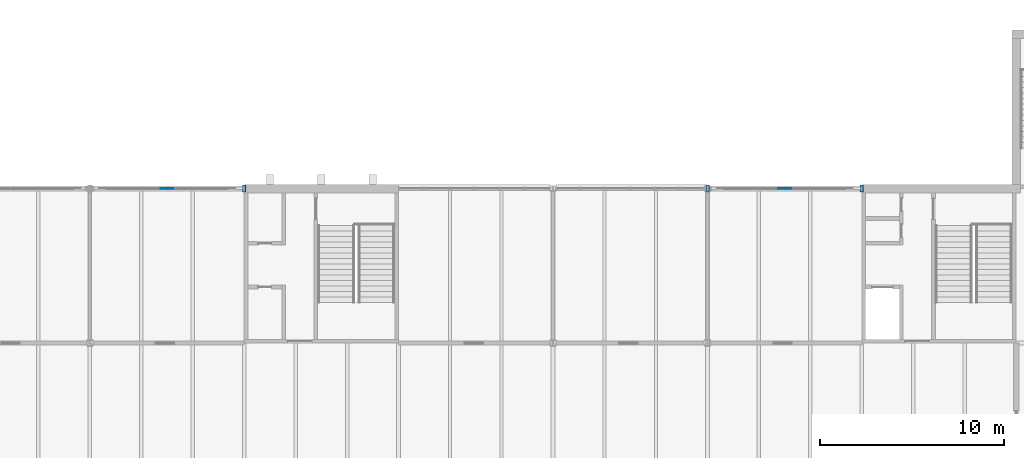
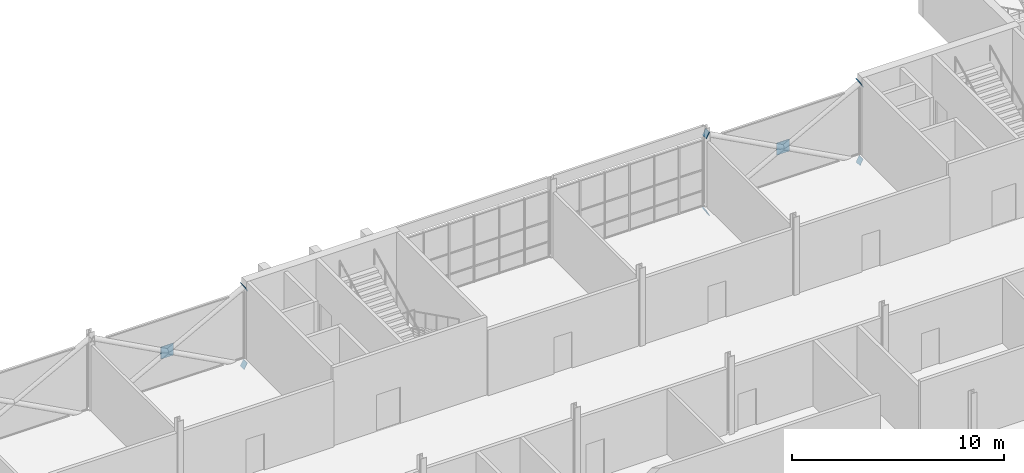
# One storey, part 111 of 129: 8 discrete accessories.
"""IFC4 building model written with IfcOpenShell, lengths in metres."""

import ifcopenshell
import ifcopenshell.guid

model = None  # the IFC model being written
_history = None  # IfcOwnerHistory: only IFC2X3 demands one
_inside = {}  # id of a spatial element -> (the spatial element, [elements in it])
_under = {}  # id of a project, library or spatial element -> (it, [spatial elements below it])
_declared = {}  # id of a project -> (the project, [libraries it declares])
_typed = {}  # id of a type object -> (the type object, [elements of that type])
_made_of = {}  # id of a material, layer set ... -> (it, [elements and type objects made of it])


def new_model(schema):
    """Start an empty IFC model of exactly this schema.

    Asked for "IFC4X3", IfcOpenShell would pick the latest addendum, in which some entities
    have other attributes; the version numbers below select the first issue.
    IFC2X3 requires an IfcOwnerHistory on every rooted entity: one is made here for all.
    """
    global model, _history
    if schema == "IFC4X3":
        model = ifcopenshell.file(schema_version=(4, 3, 0, 0))
    else:
        model = ifcopenshell.file(schema=schema)
    _inside.clear()
    _under.clear()
    _declared.clear()
    _typed.clear()
    _made_of.clear()
    _history = None
    if model.schema == "IFC2X3":
        org = make("IfcOrganization", Name="unknown")
        user = make(
            "IfcPersonAndOrganization",
            ThePerson=make("IfcPerson", FamilyName="unknown"),
            TheOrganization=org,
        )
        app = make(
            "IfcApplication",
            ApplicationDeveloper=org,
            Version="unknown",
            ApplicationFullName="unknown",
            ApplicationIdentifier="unknown",
        )
        _history = make(
            "IfcOwnerHistory",
            OwningUser=user,
            OwningApplication=app,
            ChangeAction="ADDED",
            CreationDate=0,
        )
    return model


def make(cls, **values):
    """One entity of the class cls with the attributes given. An attribute that is None is left unset."""
    return model.create_entity(
        cls, **{name: value for name, value in values.items() if value is not None}
    )


def rooted(cls, **values):
    """An entity with a GlobalId (a new one), such as an element, a storey or a relation."""
    return make(cls, GlobalId=ifcopenshell.guid.new(), OwnerHistory=_history, **values)


def si_unit(unit_type, name, prefix=None):
    """IfcSIUnit, for example si_unit("LENGTHUNIT", "METRE", prefix="MILLI")."""
    return make("IfcSIUnit", UnitType=unit_type, Prefix=prefix, Name=name)


def assignment(units):
    """IfcUnitAssignment: the units of a project."""
    return None if units is None else make("IfcUnitAssignment", Units=units)


def point(xyz):
    """IfcCartesianPoint."""
    return None if xyz is None else make("IfcCartesianPoint", Coordinates=xyz)


def direction(xyz):
    """IfcDirection."""
    return None if xyz is None else make("IfcDirection", DirectionRatios=xyz)


def frame(location, z_axis=None, x_axis=None):
    """IfcAxis2Placement3D, a coordinate frame: its origin and axes. An axis left out is left unset."""
    return make(
        "IfcAxis2Placement3D",
        Location=point(location),
        Axis=direction(z_axis),
        RefDirection=direction(x_axis),
    )


def frame_2d(location, x_axis=None):
    """IfcAxis2Placement2D, a coordinate frame in the plane: its origin and x axis."""
    return make(
        "IfcAxis2Placement2D", Location=point(location), RefDirection=direction(x_axis)
    )


def origin():
    """The frame at (0, 0, 0) with its axes left unset."""
    return frame((0.0, 0.0, 0.0))


def origin_2d():
    """The frame at (0, 0) in the plane with its x axis left unset."""
    return frame_2d((0.0, 0.0))


def place(relative_to, where):
    """IfcLocalPlacement: puts the frame where relative to a parent placement (None: the world)."""
    return make(
        "IfcLocalPlacement", PlacementRelTo=relative_to, RelativePlacement=where
    )


def context(
    kind, dimensions, precision=None, world=None, true_north=None, identifier=None
):
    """IfcGeometricRepresentationContext, for example the 3D "Model" context."""
    return make(
        "IfcGeometricRepresentationContext",
        ContextIdentifier=identifier,
        ContextType=kind,
        CoordinateSpaceDimension=dimensions,
        Precision=precision,
        WorldCoordinateSystem=world,
        TrueNorth=true_north,
    )


def subcontext(parent, identifier, kind, view, scale=None):
    """IfcGeometricRepresentationSubContext, for example "Body" below "Model"."""
    return make(
        "IfcGeometricRepresentationSubContext",
        ContextIdentifier=identifier,
        ContextType=kind,
        ParentContext=parent,
        TargetScale=scale,
        TargetView=view,
    )


def project(units=None, contexts=None):
    """IfcProject with its units and contexts."""
    return rooted(
        "IfcProject",
        Name="project",
        RepresentationContexts=contexts,
        UnitsInContext=assignment(units),
    )


def spatial(cls, under=None, at=None, **own):
    """A site, building, storey or space (cls), placed at a placement, below another one or the project."""
    s = rooted(cls, ObjectPlacement=at, **own)
    if under is not None:
        _under.setdefault(under.id(), (under, []))[1].append(s)
    return s


def profile(cls, at=None, kind="AREA", **sizes):
    """A parametric profile (cls). Its sizes go by their IFC names, for example OverallWidth=200.0."""
    return make(cls, ProfileType=kind, Position=at, **sizes)


def rectangle(**sizes):
    """IfcRectangleProfileDef."""
    return profile("IfcRectangleProfileDef", **sizes)


def extrude(swept, where, along, depth):
    """IfcExtrudedAreaSolid: the profile swept, set in the frame where, extruded along a direction by depth."""
    return make(
        "IfcExtrudedAreaSolid",
        SweptArea=swept,
        Position=where,
        ExtrudedDirection=direction(along),
        Depth=depth,
    )


def shape(context_of_items, identifier, shape_type, items):
    """IfcShapeRepresentation: the items that make up one representation, for example the "Body"."""
    return make(
        "IfcShapeRepresentation",
        ContextOfItems=context_of_items,
        RepresentationIdentifier=identifier,
        RepresentationType=shape_type,
        Items=items,
    )


def material(Name=None, Category=None):
    """IfcMaterial."""
    return make("IfcMaterial", Name=Name, Category=Category)


def material_profile(
    of_material, cross_section, Name=None, Category=None, Priority=None
):
    """IfcMaterialProfile: a cross section and its material."""
    return make(
        "IfcMaterialProfile",
        Name=Name,
        Material=of_material,
        Profile=cross_section,
        Priority=Priority,
        Category=Category,
    )


def profile_set(profiles, Name=None, composite=None):
    """IfcMaterialProfileSet."""
    return make(
        "IfcMaterialProfileSet",
        Name=Name,
        MaterialProfiles=profiles,
        CompositeProfile=composite,
    )


def made_of(thing, what):
    """Note that an element or type object is made of a material, layer set ...; save() writes the relation."""
    if what is not None:
        _made_of.setdefault(what.id(), (what, []))[1].append(thing)
    return thing


def type_object(cls, material=None, **own):
    """A type object (cls), such as IfcWallType, which elements share."""
    return made_of(rooted(cls, **own), material)


def element(
    cls,
    number,
    at=None,
    inside=None,
    cuts=None,
    type_object=None,
    material=None,
    context=None,
    identifier="Body",
    shape_type=None,
    held_by="IfcProductDefinitionShape",
    body=None,
    shapes=None,
    **own,
):
    """One element of the class cls, such as IfcWall. Its Tag is "e" and its number.

    at: its placement. inside: the storey or other place that contains it. cuts: it is an
    opening in that element (IfcRelVoidsElement). A single representation is given by context,
    identifier, shape_type and body (its items); several are given by shapes. held_by: the class
    of the entity that holds the representations. save() writes the other relations.
    """
    e = rooted(cls, Tag="e%d" % number, ObjectPlacement=at, **own)
    if body is not None:
        shapes = [shape(context, identifier, shape_type, body)]
    if shapes is not None:
        e.Representation = make(held_by, Representations=shapes)
    if inside is not None:
        _inside.setdefault(inside.id(), (inside, []))[1].append(e)
    if cuts is not None:
        rooted(
            "IfcRelVoidsElement", RelatingBuildingElement=cuts, RelatedOpeningElement=e
        )
    if type_object is not None:
        _typed.setdefault(type_object.id(), (type_object, []))[1].append(e)
    return made_of(e, material)


def aggregate(whole, parts):
    """IfcRelAggregates: a whole, such as a stair, and the parts it consists of."""
    return rooted("IfcRelAggregates", RelatingObject=whole, RelatedObjects=parts)


def save(model, path):
    """Write the relations noted so far, then the file.

    IfcRelAggregates (storeys below a building ...), IfcRelContainedInSpatialStructure (elements
    in a storey), IfcRelDefinesByType, IfcRelAssociatesMaterial and IfcRelDeclares: one each for
    every whole, place, type object, material and project.
    """
    for whole, parts in _under.values():
        aggregate(whole, parts)
    for where, things in _inside.values():
        rooted(
            "IfcRelContainedInSpatialStructure",
            RelatedElements=things,
            RelatingStructure=where,
        )
    for kind, things in _typed.values():
        rooted("IfcRelDefinesByType", RelatedObjects=things, RelatingType=kind)
    for what, things in _made_of.values():
        rooted("IfcRelAssociatesMaterial", RelatedObjects=things, RelatingMaterial=what)
    for by, libraries in _declared.values():
        rooted("IfcRelDeclares", RelatingContext=by, RelatedDefinitions=libraries)
    model.write(path)


model = new_model("IFC4")

# Units and contexts
model_context = context("Model", 3, precision=1e-05, world=origin(), true_north=direction((0.0, 1.0)))
body_context = subcontext(model_context, "Body", "Model", "MODEL_VIEW")
ifc_project = project(units=[si_unit("LENGTHUNIT", "METRE"), si_unit("AREAUNIT", "SQUARE_METRE"), si_unit("VOLUMEUNIT", "CUBIC_METRE"), si_unit("PLANEANGLEUNIT", "RADIAN"), si_unit("MASSUNIT", "GRAM", prefix="KILO")], contexts=[model_context])

# Site, building, storey
site_placement = place(None, origin())
site = spatial("IfcSite", under=ifc_project, at=site_placement, CompositionType="ELEMENT")
building_placement = place(site_placement, origin())
building = spatial("IfcBuilding", under=site, at=building_placement, Name="Ardhachandra Cancer Care Centre", CompositionType="ELEMENT")
storey_placement = place(building_placement, frame((0.0, 0.0, 4.5)))
storey = spatial("IfcBuildingStorey", under=building, at=storey_placement, Name="L01", CompositionType="ELEMENT", Elevation=4.5)

# Discrete accessories
ifc_material_1 = material(Name="Steel E250 (IS 2062)", Category="steel")
ifc_material_profile_1 = material_profile(ifc_material_1, rectangle(XDim=0.373046875, YDim=0.373046875, at=origin_2d()), Name="PL 373x373x20")
ifc_profile_set_1 = profile_set([ifc_material_profile_1], Name="Steel E250 (IS 2062)")
discrete_accessory_type_1 = type_object("IfcDiscreteAccessoryType", Name="Brace end plate 373 x 373 x 20", PredefinedType="BRACKET", material=ifc_profile_set_1)
discrete_accessory_1_placement = place(storey_placement, frame((69.60009765625, 96.60009765625, 4.10009765625), z_axis=(-0.882018256262, 0.0, -0.471215232798), x_axis=(0.0, -1.0, 0.0)))
element("IfcDiscreteAccessory", 1, at=discrete_accessory_1_placement, inside=storey, type_object=discrete_accessory_type_1, Name="Brace end plate V1-X966-612 L01 A1", PredefinedType="BRACKET", context=body_context, shape_type="SweptSolid", body=[
    extrude(rectangle(XDim=0.373046875, YDim=0.373046875, at=origin_2d()), origin(), (0.0, 0.0, 1.0), 0.020263671875),
])
discrete_accessory_2_placement = place(storey_placement, frame((69.60009765625, 96.60009765625, -0.39990234375), z_axis=(-0.887017774073, 0.0, 0.461735279655), x_axis=(0.0, -1.0, 0.0)))
element("IfcDiscreteAccessory", 2, at=discrete_accessory_2_placement, inside=storey, type_object=discrete_accessory_type_1, Name="Brace end plate V1-X966-612 L01 B10", PredefinedType="BRACKET", context=body_context, shape_type="SweptSolid", body=[
    extrude(rectangle(XDim=0.373046875, YDim=0.373046875, at=origin_2d()), origin(), (0.0, 0.0, 1.0), 0.02001953125),
])
discrete_accessory_3_placement = place(storey_placement, frame((94.800048828125, 96.60009765625, -0.39990234375), z_axis=(0.884384752847, 0.0, 0.466758619558), x_axis=(0.0, 1.0, 0.0)))
element("IfcDiscreteAccessory", 3, at=discrete_accessory_3_placement, inside=storey, type_object=discrete_accessory_type_1, Name="Brace end plate V1-X966-948 L01 A0", PredefinedType="BRACKET", context=body_context, shape_type="SweptSolid", body=[
    extrude(rectangle(XDim=0.373046875, YDim=0.373046875, at=origin_2d()), origin(), (0.0, 0.0, 1.0), 0.019775390625),
])
discrete_accessory_4_placement = place(storey_placement, frame((103.199951171875, 96.60009765625, 4.10009765625), z_axis=(-0.879291966537, 0.0, -0.476283148541), x_axis=(0.0, -1.0, 0.0)))
element("IfcDiscreteAccessory", 4, at=discrete_accessory_4_placement, inside=storey, type_object=discrete_accessory_type_1, Name="Brace end plate V1-X966-948 L01 A1", PredefinedType="BRACKET", context=body_context, shape_type="SweptSolid", body=[
    extrude(rectangle(XDim=0.373046875, YDim=0.373046875, at=origin_2d()), origin(), (0.0, 0.0, 1.0), 0.02001953125),
])
discrete_accessory_5_placement = place(storey_placement, frame((103.199951171875, 96.60009765625, -0.39990234375), z_axis=(-0.884384752847, 0.0, 0.466758619558), x_axis=(0.0, -1.0, 0.0)))
element("IfcDiscreteAccessory", 5, at=discrete_accessory_5_placement, inside=storey, type_object=discrete_accessory_type_1, Name="Brace end plate V1-X966-948 L01 B10", PredefinedType="BRACKET", context=body_context, shape_type="SweptSolid", body=[
    extrude(rectangle(XDim=0.373046875, YDim=0.373046875, at=origin_2d()), origin(), (0.0, 0.0, 1.0), 0.019775390625),
])
discrete_accessory_6_placement = place(storey_placement, frame((94.800048828125, 96.60009765625, 4.10009765625), z_axis=(0.879291966537, 0.0, -0.476283148541), x_axis=(0.0, 1.0, 0.0)))
element("IfcDiscreteAccessory", 6, at=discrete_accessory_6_placement, inside=storey, type_object=discrete_accessory_type_1, Name="Brace end plate V1-X966-948 L01 B21", PredefinedType="BRACKET", context=body_context, shape_type="SweptSolid", body=[
    extrude(rectangle(XDim=0.373046875, YDim=0.373046875, at=origin_2d()), origin(), (0.0, 0.0, 1.0), 0.02001953125),
])
ifc_material_2 = material(Name="Steel E250 (IS 2062)", Category="steel")
ifc_material_profile_2 = material_profile(ifc_material_2, rectangle(XDim=0.699951171875, YDim=0.699951171875, at=origin_2d()), Name="PL 700x700x20")
ifc_profile_set_2 = profile_set([ifc_material_profile_2], Name="Steel E250 (IS 2062)")
discrete_accessory_type_2 = type_object("IfcDiscreteAccessoryType", Name="Brace node plate 700 x 700 x 20", PredefinedType="BRACKET", material=ifc_profile_set_2)
for number, where, z_axis, x_axis, name in (
    (7, (65.39990234375, 96.590087890625, 1.85009765625), (0.0, 1.0, 0.0), (-1.0, 0.0, 0.0), "Brace node plate V1-X966-612 L01"),
    (8, (99.0, 96.590087890625, 1.85009765625), (0.0, 1.0, 0.0), (-1.0, 0.0, 0.0), "Brace node plate V1-X966-948 L01"),
):
    element("IfcDiscreteAccessory", number, at=place(storey_placement, frame(where, z_axis=z_axis, x_axis=x_axis)), inside=storey, type_object=discrete_accessory_type_2, Name=name, PredefinedType="BRACKET", context=body_context, shape_type="SweptSolid", body=[
        extrude(rectangle(XDim=0.699951171875, YDim=0.699951171875, at=origin_2d()), origin(), (0.0, 0.0, 1.0), 0.02001953125),
    ])

save(model, "model.ifc")
